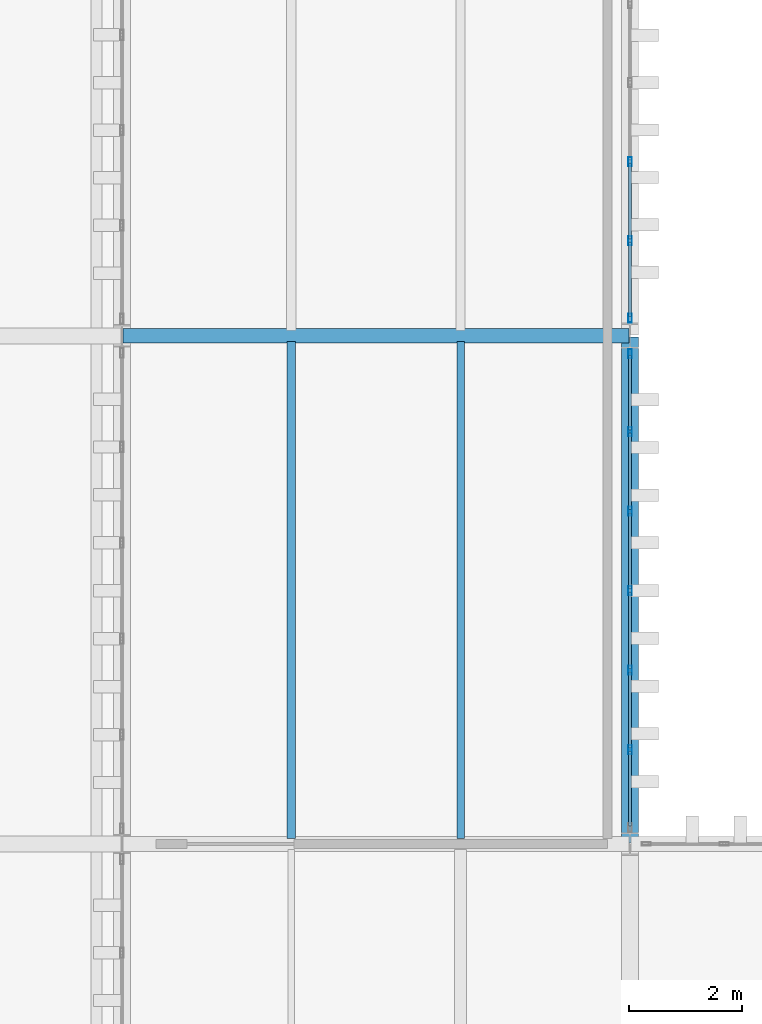
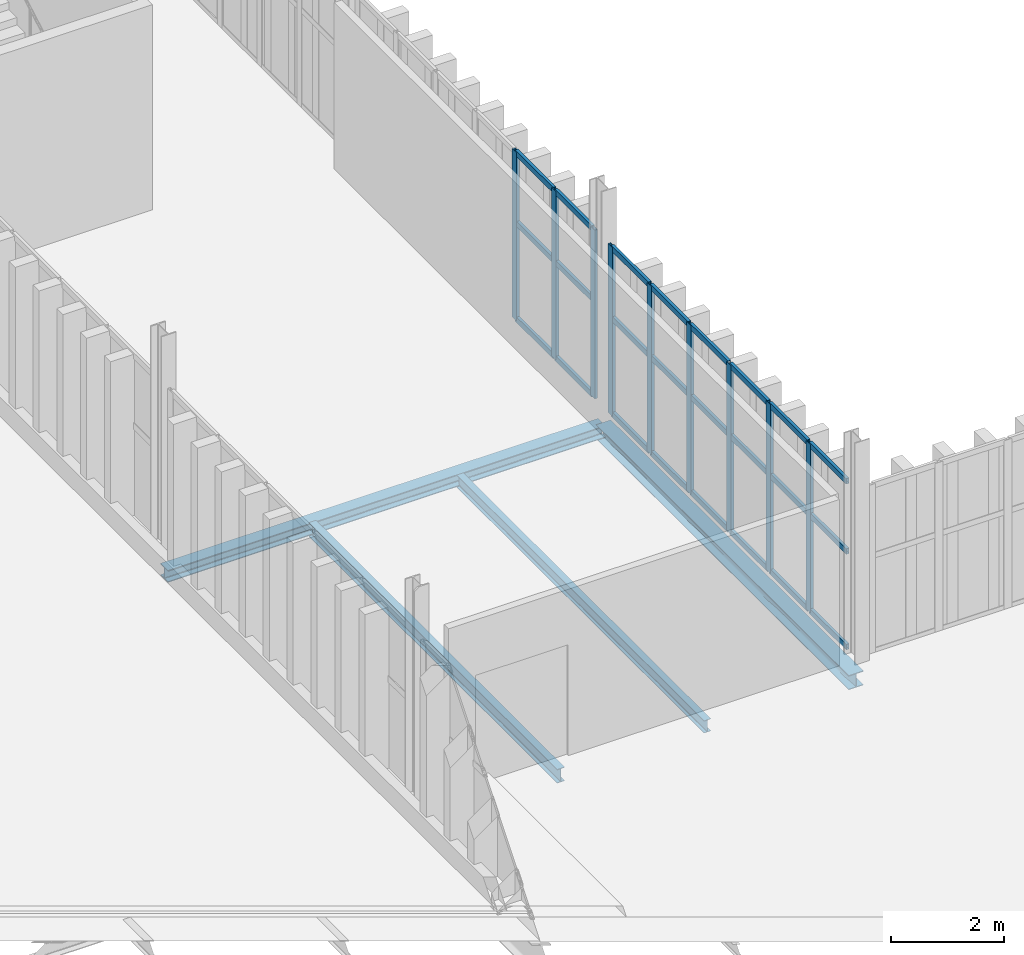
# One storey, part 131 of 196: 33 members, 4 beams, 2 elements without a shape of their own.
"""IFC4 building model written with IfcOpenShell, lengths in metres."""

from ifc_helpers import new_model, si_unit, direction, frame, origin, origin_2d, place, context, subcontext, project, spatial, hollow_rectangle, i_section, extrude, material, layer, layer_set, material_profile, profile_set, type_object, element, aggregate, save


model = new_model("IFC4")

# Units and contexts
model_context = context("Model", 3, precision=1e-05, world=origin(), true_north=direction((0.0, 1.0)))
body_context = subcontext(model_context, "Body", "Model", "MODEL_VIEW")
ifc_project = project(units=[si_unit("LENGTHUNIT", "METRE"), si_unit("AREAUNIT", "SQUARE_METRE"), si_unit("VOLUMEUNIT", "CUBIC_METRE"), si_unit("PLANEANGLEUNIT", "RADIAN"), si_unit("MASSUNIT", "GRAM", prefix="KILO")], contexts=[model_context])

# Site, building, storey
site_placement = place(None, origin())
site = spatial("IfcSite", under=ifc_project, at=site_placement, CompositionType="ELEMENT")
building_placement = place(site_placement, origin())
building = spatial("IfcBuilding", under=site, at=building_placement, Name="Barlavento Convention Centre", CompositionType="ELEMENT")
storey_placement = place(building_placement, frame((0.0, 0.0, 18.0)))
storey = spatial("IfcBuildingStorey", under=building, at=storey_placement, Name="L03", CompositionType="ELEMENT", Elevation=18.0)

# Curtain wall, members
ifc_material_1 = material(Name="Powder-coated aluminium and Low-E glass", Category="aluminium")
ifc_layer = layer(ifc_material_1, 0.179931640625)
ifc_layer_set = layer_set([ifc_layer], Name="ARC-CW-PATIO-B")
curtain_wall_type = type_object("IfcCurtainWallType", Name="ARC-CW-PATIO-B", PredefinedType="NOTDEFINED", material=ifc_layer_set)
curtain_wall_1_placement = place(storey_placement, origin())
curtain_wall_1 = element("IfcCurtainWall", 1, at=curtain_wall_1_placement, inside=storey, type_object=curtain_wall_type, Name="L03 unitised curtain wall CW12", PredefinedType="NOTDEFINED")
ifc_material_2 = material(Name="Powder-coated aluminium", Category="aluminium")
ifc_material_profile_1 = material_profile(ifc_material_2, hollow_rectangle(XDim=0.06005859375, YDim=0.159912109375, WallThickness=0.00390625, at=origin_2d()), Name="AL-MULL 60x160x4")
ifc_profile_set_1 = profile_set([ifc_material_profile_1], Name="Powder-coated aluminium")
member_type_1 = type_object("IfcMemberType", Name="ARC-CWM-60X160", PredefinedType="MULLION", material=ifc_profile_set_1)
member_1_placement = place(storey_placement, frame((135.0, 64.669189453125, 0.0), z_axis=(0.0, 0.0, 1.0), x_axis=(-1.0, 0.0, 0.0)))
member_1 = element("IfcMember", 2, at=member_1_placement, type_object=member_type_1, Name="CW12 mullion 2", PredefinedType="MULLION", context=body_context, shape_type="SweptSolid", body=[
    extrude(hollow_rectangle(XDim=0.06005859375, YDim=0.159912109375, WallThickness=0.00390625, at=origin_2d()), origin(), (0.0, 0.0, 1.0), 3.64990234375),
])
member_2_placement = place(storey_placement, frame((135.0, 66.078369140625, 0.0), z_axis=(0.0, 0.0, 1.0), x_axis=(-1.0, 0.0, 0.0)))
member_2 = element("IfcMember", 3, at=member_2_placement, type_object=member_type_1, Name="CW12 mullion 3", PredefinedType="MULLION", context=body_context, shape_type="SweptSolid", body=[
    extrude(hollow_rectangle(XDim=0.06005859375, YDim=0.159912109375, WallThickness=0.00390625, at=origin_2d()), origin(), (0.0, 0.0, 1.0), 3.64990234375),
])
member_3_placement = place(storey_placement, frame((135.0, 67.487548828125, 0.0), z_axis=(0.0, 0.0, 1.0), x_axis=(-1.0, 0.0, 0.0)))
member_3 = element("IfcMember", 4, at=member_3_placement, type_object=member_type_1, Name="CW12 mullion 4", PredefinedType="MULLION", context=body_context, shape_type="SweptSolid", body=[
    extrude(hollow_rectangle(XDim=0.06005859375, YDim=0.159912109375, WallThickness=0.00390625, at=origin_2d()), origin(), (0.0, 0.0, 1.0), 3.64990234375),
])
member_4_placement = place(storey_placement, frame((135.0, 68.896728515625, 0.0), z_axis=(0.0, 0.0, 1.0), x_axis=(-1.0, 0.0, 0.0)))
member_4 = element("IfcMember", 5, at=member_4_placement, type_object=member_type_1, Name="CW12 mullion 5", PredefinedType="MULLION", context=body_context, shape_type="SweptSolid", body=[
    extrude(hollow_rectangle(XDim=0.06005859375, YDim=0.159912109375, WallThickness=0.00390625, at=origin_2d()), origin(), (0.0, 0.0, 1.0), 3.64990234375),
])
member_5_placement = place(storey_placement, frame((135.0, 70.305908203125, 0.0), z_axis=(0.0, 0.0, 1.0), x_axis=(-1.0, 0.0, 0.0)))
member_5 = element("IfcMember", 6, at=member_5_placement, type_object=member_type_1, Name="CW12 mullion 6", PredefinedType="MULLION", context=body_context, shape_type="SweptSolid", body=[
    extrude(hollow_rectangle(XDim=0.06005859375, YDim=0.159912109375, WallThickness=0.00390625, at=origin_2d()), origin(), (0.0, 0.0, 1.0), 3.64990234375),
])
member_6_placement = place(storey_placement, frame((135.0, 71.68505859375, 0.0), z_axis=(0.0, 0.0, 1.0), x_axis=(-1.0, 0.0, 0.0)))
member_6 = element("IfcMember", 7, at=member_6_placement, type_object=member_type_1, Name="CW12 mullion 7", PredefinedType="MULLION", context=body_context, shape_type="SweptSolid", body=[
    extrude(hollow_rectangle(XDim=0.06005859375, YDim=0.159912109375, WallThickness=0.00390625, at=origin_2d()), origin(), (0.0, 0.0, 1.0), 3.64990234375),
])

curtain_wall_2_placement = place(storey_placement, origin())
curtain_wall_2 = element("IfcCurtainWall", 8, at=curtain_wall_2_placement, inside=storey, type_object=curtain_wall_type, Name="L03 unitised curtain wall CW12", PredefinedType="NOTDEFINED")
member_7_placement = place(storey_placement, frame((135.0, 72.31494140625, 0.0), z_axis=(0.0, 0.0, 1.0), x_axis=(-1.0, 0.0, 0.0)))
member_7 = element("IfcMember", 9, at=member_7_placement, type_object=member_type_1, Name="CW12 mullion 1", PredefinedType="MULLION", context=body_context, shape_type="SweptSolid", body=[
    extrude(hollow_rectangle(XDim=0.06005859375, YDim=0.159912109375, WallThickness=0.00390625, at=origin_2d()), origin(), (0.0, 0.0, 1.0), 3.64990234375),
])
member_8_placement = place(storey_placement, frame((135.0, 73.685791015625, 0.0), z_axis=(0.0, 0.0, 1.0), x_axis=(-1.0, 0.0, 0.0)))
member_8 = element("IfcMember", 10, at=member_8_placement, type_object=member_type_1, Name="CW12 mullion 2", PredefinedType="MULLION", context=body_context, shape_type="SweptSolid", body=[
    extrude(hollow_rectangle(XDim=0.06005859375, YDim=0.159912109375, WallThickness=0.00390625, at=origin_2d()), origin(), (0.0, 0.0, 1.0), 3.64990234375),
])
member_9_placement = place(storey_placement, frame((135.0, 75.086669921875, 0.0), z_axis=(0.0, 0.0, 1.0), x_axis=(-1.0, 0.0, 0.0)))
member_9 = element("IfcMember", 11, at=member_9_placement, type_object=member_type_1, Name="CW12 mullion 3", PredefinedType="MULLION", context=body_context, shape_type="SweptSolid", body=[
    extrude(hollow_rectangle(XDim=0.06005859375, YDim=0.159912109375, WallThickness=0.00390625, at=origin_2d()), origin(), (0.0, 0.0, 1.0), 3.64990234375),
])

# Member
ifc_material_profile_2 = material_profile(ifc_material_2, hollow_rectangle(XDim=0.06005859375, YDim=0.1201171875, WallThickness=0.00390625, at=origin_2d()), Name="AL-TRAN 60x120x4")
ifc_profile_set_2 = profile_set([ifc_material_profile_2], Name="Powder-coated aluminium")
member_type_2 = type_object("IfcMemberType", Name="ARC-CWT-60X120", PredefinedType="USERDEFINED", material=ifc_profile_set_2)
member_10_placement = place(storey_placement, frame((135.0, 63.320068359375, 0.030029296875), z_axis=(0.0, 1.0, 0.0), x_axis=(-1.0, 0.0, 0.0)))
member_10 = element("IfcMember", 12, at=member_10_placement, type_object=member_type_2, Name="CW12 transom 1.1", ObjectType="TRANSOM", PredefinedType="USERDEFINED", context=body_context, shape_type="SweptSolid", body=[
    extrude(hollow_rectangle(XDim=0.06005859375, YDim=0.1201171875, WallThickness=0.00390625, at=origin_2d()), origin(), (0.0, 0.0, 1.0), 1.319091796875),
])

member_11_placement = place(storey_placement, frame((135.0, 63.320068359375, 2.10009765625), z_axis=(0.0, 1.0, 0.0), x_axis=(-1.0, 0.0, 0.0)))
member_11 = element("IfcMember", 13, at=member_11_placement, type_object=member_type_2, Name="CW12 transom 1.2", ObjectType="TRANSOM", PredefinedType="USERDEFINED", context=body_context, shape_type="SweptSolid", body=[
    extrude(hollow_rectangle(XDim=0.06005859375, YDim=0.1201171875, WallThickness=0.00390625, at=origin_2d()), origin(), (0.0, 0.0, 1.0), 1.319091796875),
])

member_12_placement = place(storey_placement, frame((135.0, 63.320068359375, 3.6201171875), z_axis=(0.0, 1.0, 0.0), x_axis=(-1.0, 0.0, 0.0)))
member_12 = element("IfcMember", 14, at=member_12_placement, type_object=member_type_2, Name="CW12 transom 1.3", ObjectType="TRANSOM", PredefinedType="USERDEFINED", context=body_context, shape_type="SweptSolid", body=[
    extrude(hollow_rectangle(XDim=0.06005859375, YDim=0.1201171875, WallThickness=0.00390625, at=origin_2d()), origin(), (0.0, 0.0, 1.0), 1.319091796875),
])

member_13_placement = place(storey_placement, frame((135.0, 64.69921875, 0.030029296875), z_axis=(0.0, 1.0, 0.0), x_axis=(-1.0, 0.0, 0.0)))
member_13 = element("IfcMember", 15, at=member_13_placement, type_object=member_type_2, Name="CW12 transom 2.1", ObjectType="TRANSOM", PredefinedType="USERDEFINED", context=body_context, shape_type="SweptSolid", body=[
    extrude(hollow_rectangle(XDim=0.06005859375, YDim=0.1201171875, WallThickness=0.00390625, at=origin_2d()), origin(), (0.0, 0.0, 1.0), 1.34912109375),
])

member_14_placement = place(storey_placement, frame((135.0, 64.69921875, 2.10009765625), z_axis=(0.0, 1.0, 0.0), x_axis=(-1.0, 0.0, 0.0)))
member_14 = element("IfcMember", 16, at=member_14_placement, type_object=member_type_2, Name="CW12 transom 2.2", ObjectType="TRANSOM", PredefinedType="USERDEFINED", context=body_context, shape_type="SweptSolid", body=[
    extrude(hollow_rectangle(XDim=0.06005859375, YDim=0.1201171875, WallThickness=0.00390625, at=origin_2d()), origin(), (0.0, 0.0, 1.0), 1.34912109375),
])

member_15_placement = place(storey_placement, frame((135.0, 64.69921875, 3.6201171875), z_axis=(0.0, 1.0, 0.0), x_axis=(-1.0, 0.0, 0.0)))
member_15 = element("IfcMember", 17, at=member_15_placement, type_object=member_type_2, Name="CW12 transom 2.3", ObjectType="TRANSOM", PredefinedType="USERDEFINED", context=body_context, shape_type="SweptSolid", body=[
    extrude(hollow_rectangle(XDim=0.06005859375, YDim=0.1201171875, WallThickness=0.00390625, at=origin_2d()), origin(), (0.0, 0.0, 1.0), 1.34912109375),
])

member_16_placement = place(storey_placement, frame((135.0, 66.1083984375, 0.030029296875), z_axis=(0.0, 1.0, 0.0), x_axis=(-1.0, 0.0, 0.0)))
member_16 = element("IfcMember", 18, at=member_16_placement, type_object=member_type_2, Name="CW12 transom 3.1", ObjectType="TRANSOM", PredefinedType="USERDEFINED", context=body_context, shape_type="SweptSolid", body=[
    extrude(hollow_rectangle(XDim=0.06005859375, YDim=0.1201171875, WallThickness=0.00390625, at=origin_2d()), origin(), (0.0, 0.0, 1.0), 1.34912109375),
])

member_17_placement = place(storey_placement, frame((135.0, 66.1083984375, 2.10009765625), z_axis=(0.0, 1.0, 0.0), x_axis=(-1.0, 0.0, 0.0)))
member_17 = element("IfcMember", 19, at=member_17_placement, type_object=member_type_2, Name="CW12 transom 3.2", ObjectType="TRANSOM", PredefinedType="USERDEFINED", context=body_context, shape_type="SweptSolid", body=[
    extrude(hollow_rectangle(XDim=0.06005859375, YDim=0.1201171875, WallThickness=0.00390625, at=origin_2d()), origin(), (0.0, 0.0, 1.0), 1.34912109375),
])

member_18_placement = place(storey_placement, frame((135.0, 66.1083984375, 3.6201171875), z_axis=(0.0, 1.0, 0.0), x_axis=(-1.0, 0.0, 0.0)))
member_18 = element("IfcMember", 20, at=member_18_placement, type_object=member_type_2, Name="CW12 transom 3.3", ObjectType="TRANSOM", PredefinedType="USERDEFINED", context=body_context, shape_type="SweptSolid", body=[
    extrude(hollow_rectangle(XDim=0.06005859375, YDim=0.1201171875, WallThickness=0.00390625, at=origin_2d()), origin(), (0.0, 0.0, 1.0), 1.34912109375),
])

member_19_placement = place(storey_placement, frame((135.0, 67.517578125, 0.030029296875), z_axis=(0.0, 1.0, 0.0), x_axis=(-1.0, 0.0, 0.0)))
member_19 = element("IfcMember", 21, at=member_19_placement, type_object=member_type_2, Name="CW12 transom 4.1", ObjectType="TRANSOM", PredefinedType="USERDEFINED", context=body_context, shape_type="SweptSolid", body=[
    extrude(hollow_rectangle(XDim=0.06005859375, YDim=0.1201171875, WallThickness=0.00390625, at=origin_2d()), origin(), (0.0, 0.0, 1.0), 1.34912109375),
])

member_20_placement = place(storey_placement, frame((135.0, 67.517578125, 2.10009765625), z_axis=(0.0, 1.0, 0.0), x_axis=(-1.0, 0.0, 0.0)))
member_20 = element("IfcMember", 22, at=member_20_placement, type_object=member_type_2, Name="CW12 transom 4.2", ObjectType="TRANSOM", PredefinedType="USERDEFINED", context=body_context, shape_type="SweptSolid", body=[
    extrude(hollow_rectangle(XDim=0.06005859375, YDim=0.1201171875, WallThickness=0.00390625, at=origin_2d()), origin(), (0.0, 0.0, 1.0), 1.34912109375),
])

member_21_placement = place(storey_placement, frame((135.0, 67.517578125, 3.6201171875), z_axis=(0.0, 1.0, 0.0), x_axis=(-1.0, 0.0, 0.0)))
member_21 = element("IfcMember", 23, at=member_21_placement, type_object=member_type_2, Name="CW12 transom 4.3", ObjectType="TRANSOM", PredefinedType="USERDEFINED", context=body_context, shape_type="SweptSolid", body=[
    extrude(hollow_rectangle(XDim=0.06005859375, YDim=0.1201171875, WallThickness=0.00390625, at=origin_2d()), origin(), (0.0, 0.0, 1.0), 1.34912109375),
])

member_22_placement = place(storey_placement, frame((135.0, 68.9267578125, 0.030029296875), z_axis=(0.0, 1.0, 0.0), x_axis=(-1.0, 0.0, 0.0)))
member_22 = element("IfcMember", 24, at=member_22_placement, type_object=member_type_2, Name="CW12 transom 5.1", ObjectType="TRANSOM", PredefinedType="USERDEFINED", context=body_context, shape_type="SweptSolid", body=[
    extrude(hollow_rectangle(XDim=0.06005859375, YDim=0.1201171875, WallThickness=0.00390625, at=origin_2d()), origin(), (0.0, 0.0, 1.0), 1.34912109375),
])

member_23_placement = place(storey_placement, frame((135.0, 68.9267578125, 2.10009765625), z_axis=(0.0, 1.0, 0.0), x_axis=(-1.0, 0.0, 0.0)))
member_23 = element("IfcMember", 25, at=member_23_placement, type_object=member_type_2, Name="CW12 transom 5.2", ObjectType="TRANSOM", PredefinedType="USERDEFINED", context=body_context, shape_type="SweptSolid", body=[
    extrude(hollow_rectangle(XDim=0.06005859375, YDim=0.1201171875, WallThickness=0.00390625, at=origin_2d()), origin(), (0.0, 0.0, 1.0), 1.34912109375),
])

member_24_placement = place(storey_placement, frame((135.0, 68.9267578125, 3.6201171875), z_axis=(0.0, 1.0, 0.0), x_axis=(-1.0, 0.0, 0.0)))
member_24 = element("IfcMember", 26, at=member_24_placement, type_object=member_type_2, Name="CW12 transom 5.3", ObjectType="TRANSOM", PredefinedType="USERDEFINED", context=body_context, shape_type="SweptSolid", body=[
    extrude(hollow_rectangle(XDim=0.06005859375, YDim=0.1201171875, WallThickness=0.00390625, at=origin_2d()), origin(), (0.0, 0.0, 1.0), 1.34912109375),
])

member_25_placement = place(storey_placement, frame((135.0, 70.3359375, 0.030029296875), z_axis=(0.0, 1.0, 0.0), x_axis=(-1.0, 0.0, 0.0)))
member_25 = element("IfcMember", 27, at=member_25_placement, type_object=member_type_2, Name="CW12 transom 6.1", ObjectType="TRANSOM", PredefinedType="USERDEFINED", context=body_context, shape_type="SweptSolid", body=[
    extrude(hollow_rectangle(XDim=0.06005859375, YDim=0.1201171875, WallThickness=0.00390625, at=origin_2d()), origin(), (0.0, 0.0, 1.0), 1.319091796875),
])

member_26_placement = place(storey_placement, frame((135.0, 70.3359375, 2.10009765625), z_axis=(0.0, 1.0, 0.0), x_axis=(-1.0, 0.0, 0.0)))
member_26 = element("IfcMember", 28, at=member_26_placement, type_object=member_type_2, Name="CW12 transom 6.2", ObjectType="TRANSOM", PredefinedType="USERDEFINED", context=body_context, shape_type="SweptSolid", body=[
    extrude(hollow_rectangle(XDim=0.06005859375, YDim=0.1201171875, WallThickness=0.00390625, at=origin_2d()), origin(), (0.0, 0.0, 1.0), 1.319091796875),
])

member_27_placement = place(storey_placement, frame((135.0, 70.3359375, 3.6201171875), z_axis=(0.0, 1.0, 0.0), x_axis=(-1.0, 0.0, 0.0)))
member_27 = element("IfcMember", 29, at=member_27_placement, type_object=member_type_2, Name="CW12 transom 6.3", ObjectType="TRANSOM", PredefinedType="USERDEFINED", context=body_context, shape_type="SweptSolid", body=[
    extrude(hollow_rectangle(XDim=0.06005859375, YDim=0.1201171875, WallThickness=0.00390625, at=origin_2d()), origin(), (0.0, 0.0, 1.0), 1.319091796875),
])

aggregate(curtain_wall_1, [member_1, member_2, member_3, member_4, member_5, member_6, member_10, member_11, member_12, member_13, member_14, member_15, member_16, member_17, member_18, member_19, member_20, member_21, member_22, member_23, member_24, member_25, member_26, member_27])

member_28_placement = place(storey_placement, frame((135.0, 72.344970703125, 0.030029296875), z_axis=(0.0, 1.0, 0.0), x_axis=(-1.0, 0.0, 0.0)))
member_28 = element("IfcMember", 30, at=member_28_placement, type_object=member_type_2, Name="CW12 transom 1.1", ObjectType="TRANSOM", PredefinedType="USERDEFINED", context=body_context, shape_type="SweptSolid", body=[
    extrude(hollow_rectangle(XDim=0.06005859375, YDim=0.1201171875, WallThickness=0.00390625, at=origin_2d()), origin(), (0.0, 0.0, 1.0), 1.310791015625),
])

member_29_placement = place(storey_placement, frame((135.0, 72.344970703125, 2.10009765625), z_axis=(0.0, 1.0, 0.0), x_axis=(-1.0, 0.0, 0.0)))
member_29 = element("IfcMember", 31, at=member_29_placement, type_object=member_type_2, Name="CW12 transom 1.2", ObjectType="TRANSOM", PredefinedType="USERDEFINED", context=body_context, shape_type="SweptSolid", body=[
    extrude(hollow_rectangle(XDim=0.06005859375, YDim=0.1201171875, WallThickness=0.00390625, at=origin_2d()), origin(), (0.0, 0.0, 1.0), 1.310791015625),
])

member_30_placement = place(storey_placement, frame((135.0, 72.344970703125, 3.6201171875), z_axis=(0.0, 1.0, 0.0), x_axis=(-1.0, 0.0, 0.0)))
member_30 = element("IfcMember", 32, at=member_30_placement, type_object=member_type_2, Name="CW12 transom 1.3", ObjectType="TRANSOM", PredefinedType="USERDEFINED", context=body_context, shape_type="SweptSolid", body=[
    extrude(hollow_rectangle(XDim=0.06005859375, YDim=0.1201171875, WallThickness=0.00390625, at=origin_2d()), origin(), (0.0, 0.0, 1.0), 1.310791015625),
])

member_31_placement = place(storey_placement, frame((135.0, 73.7158203125, 0.030029296875), z_axis=(0.0, 1.0, 0.0), x_axis=(-1.0, 0.0, 0.0)))
member_31 = element("IfcMember", 33, at=member_31_placement, type_object=member_type_2, Name="CW12 transom 2.1", ObjectType="TRANSOM", PredefinedType="USERDEFINED", context=body_context, shape_type="SweptSolid", body=[
    extrude(hollow_rectangle(XDim=0.06005859375, YDim=0.1201171875, WallThickness=0.00390625, at=origin_2d()), origin(), (0.0, 0.0, 1.0), 1.3408203125),
])

member_32_placement = place(storey_placement, frame((135.0, 73.7158203125, 2.10009765625), z_axis=(0.0, 1.0, 0.0), x_axis=(-1.0, 0.0, 0.0)))
member_32 = element("IfcMember", 34, at=member_32_placement, type_object=member_type_2, Name="CW12 transom 2.2", ObjectType="TRANSOM", PredefinedType="USERDEFINED", context=body_context, shape_type="SweptSolid", body=[
    extrude(hollow_rectangle(XDim=0.06005859375, YDim=0.1201171875, WallThickness=0.00390625, at=origin_2d()), origin(), (0.0, 0.0, 1.0), 1.3408203125),
])

member_33_placement = place(storey_placement, frame((135.0, 73.7158203125, 3.6201171875), z_axis=(0.0, 1.0, 0.0), x_axis=(-1.0, 0.0, 0.0)))
member_33 = element("IfcMember", 35, at=member_33_placement, type_object=member_type_2, Name="CW12 transom 2.3", ObjectType="TRANSOM", PredefinedType="USERDEFINED", context=body_context, shape_type="SweptSolid", body=[
    extrude(hollow_rectangle(XDim=0.06005859375, YDim=0.1201171875, WallThickness=0.00390625, at=origin_2d()), origin(), (0.0, 0.0, 1.0), 1.3408203125),
])

aggregate(curtain_wall_2, [member_7, member_8, member_9, member_28, member_29, member_30, member_31, member_32, member_33])

# Beams
ifc_material_3 = material(Name="Steel S355", Category="steel")
ifc_material_profile_3 = material_profile(ifc_material_3, i_section(OverallWidth=0.135009765625, OverallDepth=0.27001953125, WebThickness=0.006591796875, FlangeThickness=0.01025390625, FilletRadius=0.014892578125, at=origin_2d()), Name="IPE 270")
ifc_profile_set_3 = profile_set([ifc_material_profile_3], Name="Steel S355")
beam_type_1 = type_object("IfcBeamType", Name="STR-BM-JST-IPE270", PredefinedType="JOIST", material=ifc_profile_set_3)
beam_1_placement = place(storey_placement, frame((132.0, 63.094970703125, -0.4951171875), z_axis=(0.0, 1.0, 0.0), x_axis=(-1.0, 0.0, 0.0)))
element("IfcBeam", 36, at=beam_1_placement, inside=storey, type_object=beam_type_1, Name="L03 composite floor joist SJ08", PredefinedType="JOIST", context=body_context, shape_type="SweptSolid", body=[
    extrude(i_section(OverallWidth=0.135009765625, OverallDepth=0.27001953125, WebThickness=0.006591796875, FlangeThickness=0.01025390625, FilletRadius=0.014892578125, at=origin_2d()), origin(), (0.0, 0.0, 1.0), 8.81005859375),
])
ifc_material_profile_4 = material_profile(ifc_material_3, i_section(OverallWidth=0.14990234375, OverallDepth=0.300048828125, WebThickness=0.007080078125, FlangeThickness=0.0107421875, FilletRadius=0.014892578125, at=origin_2d()), Name="IPE 300")
ifc_profile_set_4 = profile_set([ifc_material_profile_4], Name="Steel S355")
beam_type_2 = type_object("IfcBeamType", Name="STR-BM-JST-IPE300", PredefinedType="JOIST", material=ifc_profile_set_4)
beam_2_placement = place(storey_placement, frame((129.0, 63.094970703125, -0.510009765625), z_axis=(0.0, 1.0, 0.0), x_axis=(-1.0, 0.0, 0.0)))
element("IfcBeam", 37, at=beam_2_placement, inside=storey, type_object=beam_type_2, Name="L03 composite floor joist SJ07", PredefinedType="JOIST", context=body_context, shape_type="SweptSolid", body=[
    extrude(i_section(OverallWidth=0.14990234375, OverallDepth=0.300048828125, WebThickness=0.007080078125, FlangeThickness=0.0107421875, FilletRadius=0.014892578125, at=origin_2d()), origin(), (0.0, 0.0, 1.0), 8.81005859375),
])
ifc_material_profile_5 = material_profile(ifc_material_3, i_section(OverallWidth=0.260009765625, OverallDepth=0.260009765625, WebThickness=0.010009765625, FlangeThickness=0.017578125, FilletRadius=0.02392578125, at=origin_2d()), Name="HEB 260")
ifc_profile_set_5 = profile_set([ifc_material_profile_5], Name="Steel S355")
beam_type_3 = type_object("IfcBeamType", Name="STR-BM-PRI-HEB260", PredefinedType="BEAM", material=ifc_profile_set_5)
beam_3_placement = place(storey_placement, frame((126.02001953125, 72.0, -0.489990234375), z_axis=(1.0, 0.0, 0.0), x_axis=(0.0, 1.0, 0.0)))
element("IfcBeam", 38, at=beam_3_placement, inside=storey, type_object=beam_type_3, Name="L03 primary girder BG16", PredefinedType="BEAM", context=body_context, shape_type="SweptSolid", body=[
    extrude(i_section(OverallWidth=0.260009765625, OverallDepth=0.260009765625, WebThickness=0.010009765625, FlangeThickness=0.017578125, FilletRadius=0.02392578125, at=origin_2d()), origin(), (0.0, 0.0, 1.0), 8.9599609375),
])
ifc_material_profile_6 = material_profile(ifc_material_3, i_section(OverallWidth=0.300048828125, OverallDepth=0.31005859375, WebThickness=0.009033203125, FlangeThickness=0.015380859375, FilletRadius=0.027099609375, at=origin_2d()), Name="HEA 320")
ifc_profile_set_6 = profile_set([ifc_material_profile_6], Name="Steel S355")
beam_type_4 = type_object("IfcBeamType", Name="STR-BM-SPN-HEA320", PredefinedType="SPANDREL", material=ifc_profile_set_6)
beam_4_placement = place(storey_placement, frame((135.0, 63.02001953125, -0.514892578125), z_axis=(0.0, 1.0, 0.0), x_axis=(-1.0, 0.0, 0.0)))
element("IfcBeam", 39, at=beam_4_placement, inside=storey, type_object=beam_type_4, Name="L03 grid girder SP01", PredefinedType="SPANDREL", context=body_context, shape_type="SweptSolid", body=[
    extrude(i_section(OverallWidth=0.300048828125, OverallDepth=0.31005859375, WebThickness=0.009033203125, FlangeThickness=0.015380859375, FilletRadius=0.027099609375, at=origin_2d()), origin(), (0.0, 0.0, 1.0), 8.9599609375),
])

save(model, "model.ifc")
